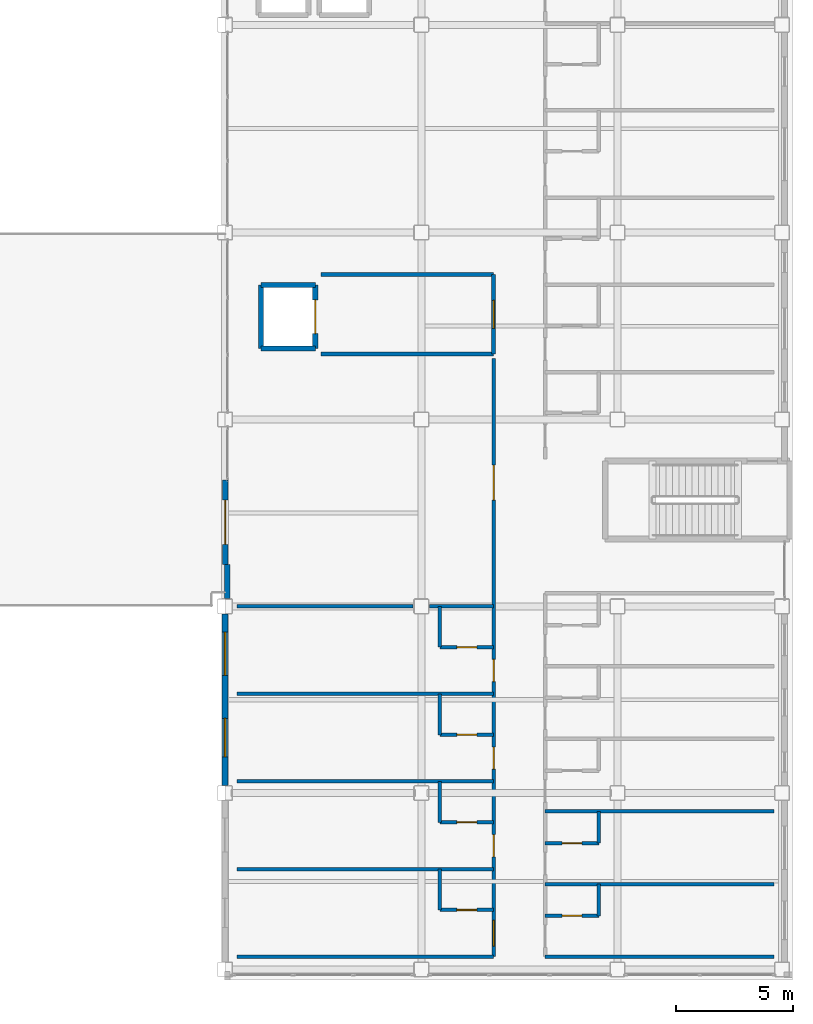
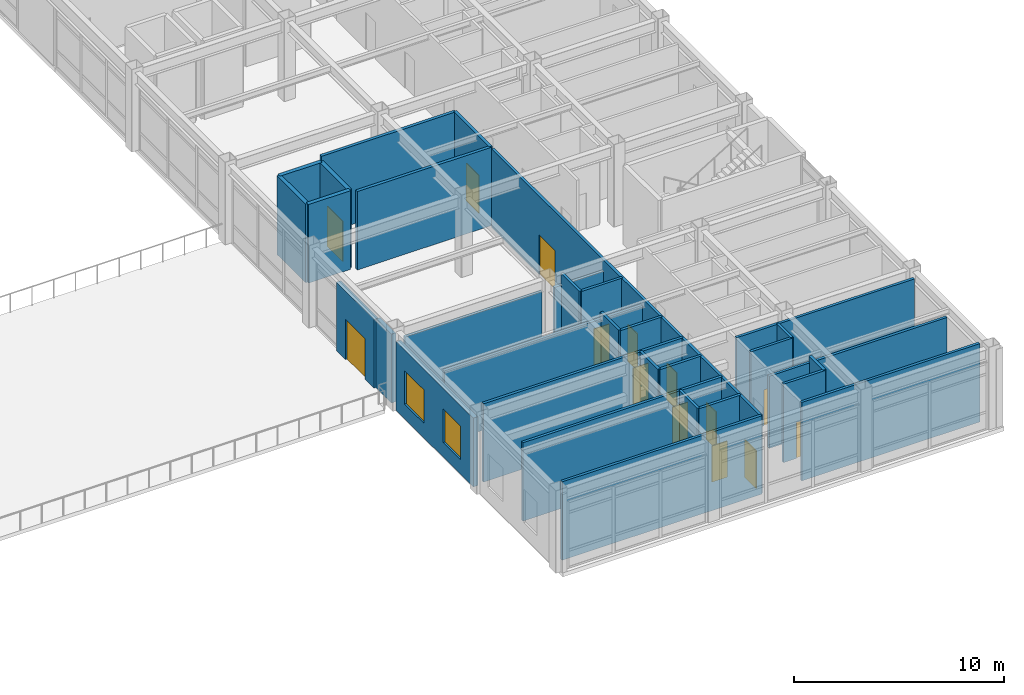
# One storey, part 49 of 61: 32 walls, 14 doors, 2 windows, 16 openings.
"""IFC4 building model written with IfcOpenShell, lengths in metres."""

from ifc_helpers import new_model, si_unit, direction, frame, frame_2d, origin, place, context, subcontext, project, spatial, rectangle, extrude, material, layer, layer_set, type_object, element, fill, save


model = new_model("IFC4")

# Units and contexts
model_context = context("Model", 3, precision=1e-05, world=origin(), true_north=direction((0.0, 1.0)))
body_context = subcontext(model_context, "Body", "Model", "MODEL_VIEW")
ifc_project = project(units=[si_unit("LENGTHUNIT", "METRE"), si_unit("AREAUNIT", "SQUARE_METRE"), si_unit("VOLUMEUNIT", "CUBIC_METRE"), si_unit("PLANEANGLEUNIT", "RADIAN"), si_unit("MASSUNIT", "GRAM", prefix="KILO")], contexts=[model_context])

# Site, building, storey
site_placement = place(None, origin())
site = spatial("IfcSite", under=ifc_project, at=site_placement, CompositionType="ELEMENT")
building_placement = place(site_placement, origin())
building = spatial("IfcBuilding", under=site, at=building_placement, Name="Kazehara Bluff Congress Hotel", CompositionType="ELEMENT")
storey_placement = place(building_placement, frame((0.0, 0.0, 19.800048828125)))
storey = spatial("IfcBuildingStorey", under=building, at=storey_placement, Name="L04", CompositionType="ELEMENT", Elevation=19.800048828125)

# Wall, opening, door
ifc_material_1 = material(Name="Precast concrete C40/50", Category="concrete")
ifc_layer_1 = layer(ifc_material_1, 0.239990234375)
ifc_layer_set_1 = layer_set([ifc_layer_1], Name="Precast concrete C40/50")
wall_type_1 = type_object("IfcWallType", Name="TP-EW-240", PredefinedType="SOLIDWALL", material=ifc_layer_set_1)
wall_1_placement = place(storey_placement, frame((143.699951171875, 17.800048828125, 0.0), z_axis=(0.0, 0.0, 1.0), x_axis=(0.0, 1.0, 0.0)))
wall_1 = element("IfcWall", 1, at=wall_1_placement, inside=storey, type_object=wall_type_1, Name="Club Lounge Courtyard Roof Terrace access wall", PredefinedType="SOLIDWALL", context=body_context, shape_type="SweptSolid", body=[
    extrude(rectangle(XDim=3.599853515625, YDim=0.239990234375, at=frame_2d((1.7998046875, 0.0))), origin(), (0.0, 0.0, 1.0), 4.0048828125),
])
opening_1_placement = place(wall_1_placement, frame((0.85009765625, 0.0, 0.0)))
opening_1 = element("IfcOpeningElement", 2, at=opening_1_placement, cuts=wall_1, Name="Opening TD-02", PredefinedType="OPENING", context=body_context, shape_type="SweptSolid", body=[
    extrude(rectangle(XDim=1.89990234375, YDim=2.35009765625, at=frame_2d((0.949951171875, 1.175048828125))), frame((0.0, 0.1298828125, 0.0), z_axis=(0.0, -1.0, 0.0), x_axis=(1.0, 0.0, 0.0)), (0.0, 0.0, 1.0), 0.260009765625),
])
ifc_material_2 = material(Name="Anodised aluminium", Category="aluminium")
door_type_1 = type_object("IfcDoorType", Name="TP-TD-02", OperationType="SLIDING_TO_LEFT", PredefinedType="DOOR", material=ifc_material_2)
door_1_placement = place(opening_1_placement, origin())
door_1 = element("IfcDoor", 3, at=door_1_placement, inside=storey, type_object=door_type_1, Name="Club Lounge Courtyard Roof Terrace terrace door", OperationType="SLIDING_TO_LEFT", OverallHeight=2.35009765625, OverallWidth=1.89990234375, PredefinedType="DOOR", context=body_context, shape_type="SweptSolid", body=[
    extrude(rectangle(XDim=1.89990234375, YDim=2.35009765625, at=frame_2d((0.949951171875, 1.175048828125))), frame((0.0, 0.02490234375, 0.0), z_axis=(0.0, -1.0, 0.0), x_axis=(1.0, 0.0, 0.0)), (0.0, 0.0, 1.0), 0.050048828125),
])
fill(opening_1, door_1)

# Wall
wall_2_placement = place(storey_placement, frame((143.800048828125, 16.324951171875, 0.0), z_axis=(0.0, 0.0, 1.0), x_axis=(0.0, 1.0, 0.0)))
element("IfcWall", 4, at=wall_2_placement, inside=storey, type_object=wall_type_1, Name="L04 V5 perimeter spandrel pier 729", PredefinedType="SOLIDWALL", context=body_context, shape_type="SweptSolid", body=[
    extrude(rectangle(XDim=1.47509765625, YDim=0.239990234375, at=frame_2d((0.737548828125, 0.0))), origin(), (0.0, 0.0, 1.0), 4.0048828125),
])

# Wall, openings, windows
ifc_material_3 = material(Name="Precast concrete C40/50", Category="concrete")
ifc_layer_2 = layer(ifc_material_3, 0.260009765625)
ifc_layer_set_2 = layer_set([ifc_layer_2], Name="Precast concrete C40/50")
wall_type_2 = type_object("IfcWallType", Name="TP-EW-260", PredefinedType="SOLIDWALL", material=ifc_layer_set_2)
wall_3_placement = place(storey_placement, frame((143.699951171875, 8.324951171875, 0.0), z_axis=(0.0, 0.0, 1.0), x_axis=(0.0, 1.0, 0.0)))
wall_3 = element("IfcWall", 5, at=wall_3_placement, inside=storey, type_object=wall_type_2, Name="L04 hotel facade panel 34", PredefinedType="SOLIDWALL", context=body_context, shape_type="SweptSolid", body=[
    extrude(rectangle(XDim=7.35009765625, YDim=0.260009765625, at=frame_2d((3.675048828125, 0.0))), origin(), (0.0, 0.0, 1.0), 4.0048828125),
])
opening_2_placement = place(wall_3_placement, frame((1.22509765625, 0.0, 0.85009765625)))
opening_2 = element("IfcOpeningElement", 6, at=opening_2_placement, cuts=wall_3, Name="Opening WN-30", PredefinedType="OPENING", context=body_context, shape_type="SweptSolid", body=[
    extrude(rectangle(XDim=1.64990234375, YDim=1.949951171875, at=frame_2d((0.824951171875, 0.97509765625))), frame((0.0, 0.139892578125, 0.0), z_axis=(0.0, -1.0, 0.0), x_axis=(1.0, 0.0, 0.0)), (0.0, 0.0, 1.0), 0.280029296875),
])
opening_3_placement = place(wall_3_placement, frame((4.715087890625, 0.0, 0.85009765625)))
opening_3 = element("IfcOpeningElement", 7, at=opening_3_placement, cuts=wall_3, Name="Opening WN-40", PredefinedType="OPENING", context=body_context, shape_type="SweptSolid", body=[
    extrude(rectangle(XDim=1.85009765625, YDim=1.949951171875, at=frame_2d((0.925048828125, 0.97509765625))), frame((0.0, 0.139892578125, 0.0), z_axis=(0.0, -1.0, 0.0), x_axis=(1.0, 0.0, 0.0)), (0.0, 0.0, 1.0), 0.280029296875),
])
ifc_material_4 = material(Name="Insulated low-E double glazing", Category="glass")
window_type_1 = type_object("IfcWindowType", Name="TP-WN-30", PartitioningType="SINGLE_PANEL", PredefinedType="WINDOW", material=ifc_material_4)
window_1_placement = place(opening_2_placement, origin())
window_1 = element("IfcWindow", 8, at=window_1_placement, inside=storey, type_object=window_type_1, Name="L04 guestroom window WN-30 51", OverallHeight=1.949951171875, OverallWidth=1.64990234375, PartitioningType="SINGLE_PANEL", PredefinedType="WINDOW", context=body_context, shape_type="SweptSolid", body=[
    extrude(rectangle(XDim=1.64990234375, YDim=1.949951171875, at=frame_2d((0.824951171875, 0.97509765625))), frame((0.0, 0.030029296875, 0.0), z_axis=(0.0, -1.0, 0.0), x_axis=(1.0, 0.0, 0.0)), (0.0, 0.0, 1.0), 0.06005859375),
])
fill(opening_2, window_1)
ifc_material_5 = material(Name="Insulated low-E double glazing", Category="glass")
window_type_2 = type_object("IfcWindowType", Name="TP-WN-40", PartitioningType="DOUBLE_PANEL_VERTICAL", PredefinedType="WINDOW", material=ifc_material_5)
window_2_placement = place(opening_3_placement, origin())
window_2 = element("IfcWindow", 9, at=window_2_placement, inside=storey, type_object=window_type_2, Name="L04 guestroom window WN-40 52", OverallHeight=1.949951171875, OverallWidth=1.85009765625, PartitioningType="SINGLE_PANEL", PredefinedType="WINDOW", context=body_context, shape_type="SweptSolid", body=[
    extrude(rectangle(XDim=1.85009765625, YDim=1.949951171875, at=frame_2d((0.925048828125, 0.97509765625))), frame((0.0, 0.030029296875, 0.0), z_axis=(0.0, -1.0, 0.0), x_axis=(1.0, 0.0, 0.0)), (0.0, 0.0, 1.0), 0.06005859375),
])
fill(opening_3, window_2)

# Walls
ifc_material_6 = material(Name="Fire-rated gypsum board stud partition")
ifc_layer_3 = layer(ifc_material_6, 0.14990234375)
ifc_layer_set_3 = layer_set([ifc_layer_3], Name="Fire-rated gypsum board stud partition")
wall_type_3 = type_object("IfcWallType", Name="TP-PT-150", PredefinedType="PARTITIONING", material=ifc_layer_set_3)
wall_4_placement = place(storey_placement, frame((144.199951171875, 1.0, 0.0), z_axis=(0.0, 0.0, 1.0), x_axis=(1.0, 0.0, 0.0)))
element("IfcWall", 10, at=wall_4_placement, inside=storey, type_object=wall_type_3, Name="L04 partition PT-150 368", PredefinedType="PARTITIONING", context=body_context, shape_type="SweptSolid", body=[
    extrude(rectangle(XDim=11.0, YDim=0.14990234375, at=frame_2d((5.5, 0.0))), origin(), (0.0, 0.0, 1.0), 4.56494140625),
])
wall_5_placement = place(storey_placement, frame((157.39990234375, 1.0, 0.0), z_axis=(0.0, 0.0, 1.0), x_axis=(1.0, 0.0, 0.0)))
element("IfcWall", 11, at=wall_5_placement, inside=storey, type_object=wall_type_3, Name="L04 partition PT-150 369", PredefinedType="PARTITIONING", context=body_context, shape_type="SweptSolid", body=[
    extrude(rectangle(XDim=9.800048828125, YDim=0.14990234375, at=frame_2d((4.89990234375, 0.0))), origin(), (0.0, 0.0, 1.0), 4.56494140625),
])

# Wall, opening, door
wall_6_placement = place(storey_placement, frame((157.39990234375, 2.75, 0.0), z_axis=(0.0, 0.0, 1.0), x_axis=(1.0, 0.0, 0.0)))
wall_6 = element("IfcWall", 12, at=wall_6_placement, inside=storey, type_object=wall_type_3, Name="L04 partition PT-150 370", PredefinedType="PARTITIONING", context=body_context, shape_type="SweptSolid", body=[
    extrude(rectangle(XDim=2.300048828125, YDim=0.14990234375, at=frame_2d((1.14990234375, 0.0))), origin(), (0.0, 0.0, 1.0), 4.56494140625),
])
opening_4_placement = place(wall_6_placement, frame((0.72509765625, 0.0, 0.0)))
opening_4 = element("IfcOpeningElement", 13, at=opening_4_placement, cuts=wall_6, Name="Opening BD-01", PredefinedType="OPENING", context=body_context, shape_type="SweptSolid", body=[
    extrude(rectangle(XDim=0.85009765625, YDim=2.10009765625, at=frame_2d((0.425048828125, 1.050048828125))), frame((0.0, 0.0849609375, 0.0), z_axis=(0.0, -1.0, 0.0), x_axis=(1.0, 0.0, 0.0)), (0.0, 0.0, 1.0), 0.169921875),
])
ifc_material_7 = material(Name="Architectural oak veneer leaf")
door_type_2 = type_object("IfcDoorType", Name="TP-BD-01", OperationType="NOTDEFINED", PredefinedType="DOOR", material=ifc_material_7)
door_2_placement = place(opening_4_placement, origin())
door_2 = element("IfcDoor", 14, at=door_2_placement, inside=storey, type_object=door_type_2, Name="L04 En-suite Bathroom 49 door", OperationType="SINGLE_SWING_LEFT", OverallHeight=2.10009765625, OverallWidth=0.85009765625, PredefinedType="DOOR", context=body_context, shape_type="SweptSolid", body=[
    extrude(rectangle(XDim=0.85009765625, YDim=2.10009765625, at=frame_2d((0.425048828125, 1.050048828125))), frame((0.0, 0.02490234375, 0.0), z_axis=(0.0, -1.0, 0.0), x_axis=(1.0, 0.0, 0.0)), (0.0, 0.0, 1.0), 0.050048828125),
])
fill(opening_4, door_2)

wall_7_placement = place(storey_placement, frame((152.89990234375, 3.0, 0.0), z_axis=(0.0, 0.0, 1.0), x_axis=(1.0, 0.0, 0.0)))
wall_7 = element("IfcWall", 15, at=wall_7_placement, inside=storey, type_object=wall_type_3, Name="L04 partition PT-150 371", PredefinedType="PARTITIONING", context=body_context, shape_type="SweptSolid", body=[
    extrude(rectangle(XDim=2.300048828125, YDim=0.14990234375, at=frame_2d((1.14990234375, 0.0))), origin(), (0.0, 0.0, 1.0), 4.56494140625),
])
opening_5_placement = place(wall_7_placement, frame((0.72509765625, 0.0, 0.0)))
opening_5 = element("IfcOpeningElement", 16, at=opening_5_placement, cuts=wall_7, Name="Opening BD-01", PredefinedType="OPENING", context=body_context, shape_type="SweptSolid", body=[
    extrude(rectangle(XDim=0.85009765625, YDim=2.10009765625, at=frame_2d((0.425048828125, 1.050048828125))), frame((0.0, 0.0849609375, 0.0), z_axis=(0.0, -1.0, 0.0), x_axis=(1.0, 0.0, 0.0)), (0.0, 0.0, 1.0), 0.169921875),
])
door_3_placement = place(opening_5_placement, origin())
door_3 = element("IfcDoor", 17, at=door_3_placement, inside=storey, type_object=door_type_2, Name="L04 En-suite Bathroom 31 door", OperationType="SINGLE_SWING_LEFT", OverallHeight=2.10009765625, OverallWidth=0.85009765625, PredefinedType="DOOR", context=body_context, shape_type="SweptSolid", body=[
    extrude(rectangle(XDim=0.85009765625, YDim=2.10009765625, at=frame_2d((0.425048828125, 1.050048828125))), frame((0.0, 0.02490234375, 0.0), z_axis=(0.0, -1.0, 0.0), x_axis=(1.0, 0.0, 0.0)), (0.0, 0.0, 1.0), 0.050048828125),
])
fill(opening_5, door_3)

# Walls
wall_8_placement = place(storey_placement, frame((157.39990234375, 4.110107421875, 0.0), z_axis=(0.0, 0.0, 1.0), x_axis=(1.0, 0.0, 0.0)))
element("IfcWall", 18, at=wall_8_placement, inside=storey, type_object=wall_type_3, Name="L04 partition PT-150 372", PredefinedType="PARTITIONING", context=body_context, shape_type="SweptSolid", body=[
    extrude(rectangle(XDim=9.800048828125, YDim=0.14990234375, at=frame_2d((4.89990234375, 0.0))), origin(), (0.0, 0.0, 1.0), 4.204833984375),
])
wall_9_placement = place(storey_placement, frame((144.199951171875, 4.75, 0.0), z_axis=(0.0, 0.0, 1.0), x_axis=(1.0, 0.0, 0.0)))
element("IfcWall", 19, at=wall_9_placement, inside=storey, type_object=wall_type_3, Name="L04 partition PT-150 373", PredefinedType="PARTITIONING", context=body_context, shape_type="SweptSolid", body=[
    extrude(rectangle(XDim=11.0, YDim=0.14990234375, at=frame_2d((5.5, 0.0))), origin(), (0.0, 0.0, 1.0), 4.56494140625),
])

# Wall, opening, door
wall_10_placement = place(storey_placement, frame((157.39990234375, 5.860107421875, 0.0), z_axis=(0.0, 0.0, 1.0), x_axis=(1.0, 0.0, 0.0)))
wall_10 = element("IfcWall", 20, at=wall_10_placement, inside=storey, type_object=wall_type_3, Name="L04 partition PT-150 374", PredefinedType="PARTITIONING", context=body_context, shape_type="SweptSolid", body=[
    extrude(rectangle(XDim=2.300048828125, YDim=0.14990234375, at=frame_2d((1.14990234375, 0.0))), origin(), (0.0, 0.0, 1.0), 4.56494140625),
])
opening_6_placement = place(wall_10_placement, frame((0.72509765625, 0.0, 0.0)))
opening_6 = element("IfcOpeningElement", 21, at=opening_6_placement, cuts=wall_10, Name="Opening BD-01", PredefinedType="OPENING", context=body_context, shape_type="SweptSolid", body=[
    extrude(rectangle(XDim=0.85009765625, YDim=2.10009765625, at=frame_2d((0.425048828125, 1.050048828125))), frame((0.0, 0.0849609375, 0.0), z_axis=(0.0, -1.0, 0.0), x_axis=(1.0, 0.0, 0.0)), (0.0, 0.0, 1.0), 0.169921875),
])
door_4_placement = place(opening_6_placement, origin())
door_4 = element("IfcDoor", 22, at=door_4_placement, inside=storey, type_object=door_type_2, Name="L04 En-suite Bathroom 50 door", OperationType="SINGLE_SWING_LEFT", OverallHeight=2.10009765625, OverallWidth=0.85009765625, PredefinedType="DOOR", context=body_context, shape_type="SweptSolid", body=[
    extrude(rectangle(XDim=0.85009765625, YDim=2.10009765625, at=frame_2d((0.425048828125, 1.050048828125))), frame((0.0, 0.02490234375, 0.0), z_axis=(0.0, -1.0, 0.0), x_axis=(1.0, 0.0, 0.0)), (0.0, 0.0, 1.0), 0.050048828125),
])
fill(opening_6, door_4)

wall_11_placement = place(storey_placement, frame((152.89990234375, 6.75, 0.0), z_axis=(0.0, 0.0, 1.0), x_axis=(1.0, 0.0, 0.0)))
wall_11 = element("IfcWall", 23, at=wall_11_placement, inside=storey, type_object=wall_type_3, Name="L04 partition PT-150 375", PredefinedType="PARTITIONING", context=body_context, shape_type="SweptSolid", body=[
    extrude(rectangle(XDim=2.300048828125, YDim=0.14990234375, at=frame_2d((1.14990234375, 0.0))), origin(), (0.0, 0.0, 1.0), 4.56494140625),
])
opening_7_placement = place(wall_11_placement, frame((0.72509765625, 0.0, 0.0)))
opening_7 = element("IfcOpeningElement", 24, at=opening_7_placement, cuts=wall_11, Name="Opening BD-01", PredefinedType="OPENING", context=body_context, shape_type="SweptSolid", body=[
    extrude(rectangle(XDim=0.85009765625, YDim=2.10009765625, at=frame_2d((0.425048828125, 1.050048828125))), frame((0.0, 0.0849609375, 0.0), z_axis=(0.0, -1.0, 0.0), x_axis=(1.0, 0.0, 0.0)), (0.0, 0.0, 1.0), 0.169921875),
])
door_5_placement = place(opening_7_placement, origin())
door_5 = element("IfcDoor", 25, at=door_5_placement, inside=storey, type_object=door_type_2, Name="L04 En-suite Bathroom 32 door", OperationType="SINGLE_SWING_LEFT", OverallHeight=2.10009765625, OverallWidth=0.85009765625, PredefinedType="DOOR", context=body_context, shape_type="SweptSolid", body=[
    extrude(rectangle(XDim=0.85009765625, YDim=2.10009765625, at=frame_2d((0.425048828125, 1.050048828125))), frame((0.0, 0.02490234375, 0.0), z_axis=(0.0, -1.0, 0.0), x_axis=(1.0, 0.0, 0.0)), (0.0, 0.0, 1.0), 0.050048828125),
])
fill(opening_7, door_5)

# Walls
wall_12_placement = place(storey_placement, frame((157.39990234375, 7.219970703125, 0.0), z_axis=(0.0, 0.0, 1.0), x_axis=(1.0, 0.0, 0.0)))
element("IfcWall", 26, at=wall_12_placement, inside=storey, type_object=wall_type_3, Name="L04 partition PT-150 376", PredefinedType="PARTITIONING", context=body_context, shape_type="SweptSolid", body=[
    extrude(rectangle(XDim=9.800048828125, YDim=0.14990234375, at=frame_2d((4.89990234375, 0.0))), origin(), (0.0, 0.0, 1.0), 4.56494140625),
])
wall_13_placement = place(storey_placement, frame((144.199951171875, 8.5, 0.0), z_axis=(0.0, 0.0, 1.0), x_axis=(1.0, 0.0, 0.0)))
element("IfcWall", 27, at=wall_13_placement, inside=storey, type_object=wall_type_3, Name="L04 partition PT-150 377", PredefinedType="PARTITIONING", context=body_context, shape_type="SweptSolid", body=[
    extrude(rectangle(XDim=11.0, YDim=0.14990234375, at=frame_2d((5.5, 0.0))), origin(), (0.0, 0.0, 1.0), 4.56494140625),
])

# Wall, opening, door
wall_14_placement = place(storey_placement, frame((152.89990234375, 10.5, 0.0), z_axis=(0.0, 0.0, 1.0), x_axis=(1.0, 0.0, 0.0)))
wall_14 = element("IfcWall", 28, at=wall_14_placement, inside=storey, type_object=wall_type_3, Name="L04 partition PT-150 380", PredefinedType="PARTITIONING", context=body_context, shape_type="SweptSolid", body=[
    extrude(rectangle(XDim=2.300048828125, YDim=0.14990234375, at=frame_2d((1.14990234375, 0.0))), origin(), (0.0, 0.0, 1.0), 4.56494140625),
])
opening_8_placement = place(wall_14_placement, frame((0.72509765625, 0.0, 0.0)))
opening_8 = element("IfcOpeningElement", 29, at=opening_8_placement, cuts=wall_14, Name="Opening BD-01", PredefinedType="OPENING", context=body_context, shape_type="SweptSolid", body=[
    extrude(rectangle(XDim=0.85009765625, YDim=2.10009765625, at=frame_2d((0.425048828125, 1.050048828125))), frame((0.0, 0.0849609375, 0.0), z_axis=(0.0, -1.0, 0.0), x_axis=(1.0, 0.0, 0.0)), (0.0, 0.0, 1.0), 0.169921875),
])
door_6_placement = place(opening_8_placement, origin())
door_6 = element("IfcDoor", 30, at=door_6_placement, inside=storey, type_object=door_type_2, Name="L04 En-suite Bathroom 33 door", OperationType="SINGLE_SWING_LEFT", OverallHeight=2.10009765625, OverallWidth=0.85009765625, PredefinedType="DOOR", context=body_context, shape_type="SweptSolid", body=[
    extrude(rectangle(XDim=0.85009765625, YDim=2.10009765625, at=frame_2d((0.425048828125, 1.050048828125))), frame((0.0, 0.02490234375, 0.0), z_axis=(0.0, -1.0, 0.0), x_axis=(1.0, 0.0, 0.0)), (0.0, 0.0, 1.0), 0.050048828125),
])
fill(opening_8, door_6)

# Wall
wall_15_placement = place(storey_placement, frame((144.199951171875, 12.25, 0.0), z_axis=(0.0, 0.0, 1.0), x_axis=(1.0, 0.0, 0.0)))
element("IfcWall", 31, at=wall_15_placement, inside=storey, type_object=wall_type_3, Name="L04 partition PT-150 382", PredefinedType="PARTITIONING", context=body_context, shape_type="SweptSolid", body=[
    extrude(rectangle(XDim=11.0, YDim=0.14990234375, at=frame_2d((5.5, 0.0))), origin(), (0.0, 0.0, 1.0), 4.204833984375),
])

# Wall, opening, door
wall_16_placement = place(storey_placement, frame((152.89990234375, 14.25, 0.0), z_axis=(0.0, 0.0, 1.0), x_axis=(1.0, 0.0, 0.0)))
wall_16 = element("IfcWall", 32, at=wall_16_placement, inside=storey, type_object=wall_type_3, Name="L04 partition PT-150 384", PredefinedType="PARTITIONING", context=body_context, shape_type="SweptSolid", body=[
    extrude(rectangle(XDim=2.300048828125, YDim=0.14990234375, at=frame_2d((1.14990234375, 0.0))), origin(), (0.0, 0.0, 1.0), 4.56494140625),
])
opening_9_placement = place(wall_16_placement, frame((0.72509765625, 0.0, 0.0)))
opening_9 = element("IfcOpeningElement", 33, at=opening_9_placement, cuts=wall_16, Name="Opening BD-01", PredefinedType="OPENING", context=body_context, shape_type="SweptSolid", body=[
    extrude(rectangle(XDim=0.85009765625, YDim=2.10009765625, at=frame_2d((0.425048828125, 1.050048828125))), frame((0.0, 0.0849609375, 0.0), z_axis=(0.0, -1.0, 0.0), x_axis=(1.0, 0.0, 0.0)), (0.0, 0.0, 1.0), 0.169921875),
])
door_7_placement = place(opening_9_placement, origin())
door_7 = element("IfcDoor", 34, at=door_7_placement, inside=storey, type_object=door_type_2, Name="L04 En-suite Bathroom 34 door", OperationType="SINGLE_SWING_LEFT", OverallHeight=2.10009765625, OverallWidth=0.85009765625, PredefinedType="DOOR", context=body_context, shape_type="SweptSolid", body=[
    extrude(rectangle(XDim=0.85009765625, YDim=2.10009765625, at=frame_2d((0.425048828125, 1.050048828125))), frame((0.0, 0.02490234375, 0.0), z_axis=(0.0, -1.0, 0.0), x_axis=(1.0, 0.0, 0.0)), (0.0, 0.0, 1.0), 0.050048828125),
])
fill(opening_9, door_7)

# Walls
wall_17_placement = place(storey_placement, frame((144.199951171875, 16.0, 0.0), z_axis=(0.0, 0.0, 1.0), x_axis=(1.0, 0.0, 0.0)))
element("IfcWall", 35, at=wall_17_placement, inside=storey, type_object=wall_type_3, Name="L04 partition PT-150 386", PredefinedType="PARTITIONING", context=body_context, shape_type="SweptSolid", body=[
    extrude(rectangle(XDim=7.554931640625, YDim=0.14990234375, at=frame_2d((3.77734375, 0.0))), origin(), (0.0, 0.0, 1.0), 3.905029296875),
])
wall_18_placement = place(storey_placement, frame((152.445068359375, 16.0, 0.0), z_axis=(0.0, 0.0, 1.0), x_axis=(1.0, 0.0, 0.0)))
element("IfcWall", 36, at=wall_18_placement, inside=storey, type_object=wall_type_3, Name="L04 partition PT-150 387", PredefinedType="PARTITIONING", context=body_context, shape_type="SweptSolid", body=[
    extrude(rectangle(XDim=2.7548828125, YDim=0.14990234375, at=frame_2d((1.37744140625, 0.0))), origin(), (0.0, 0.0, 1.0), 3.905029296875),
])
for number, where, z_axis, x_axis, name in (
    (37, (152.89990234375, 3.0, 0.0), (0.0, 0.0, 1.0), (0.0, 1.0, 0.0), "L04 partition PT-150 461"),
    (38, (152.89990234375, 6.75, 0.0), (0.0, 0.0, 1.0), (0.0, 1.0, 0.0), "L04 partition PT-150 462"),
    (39, (152.89990234375, 10.5, 0.0), (0.0, 0.0, 1.0), (0.0, 1.0, 0.0), "L04 partition PT-150 463"),
    (40, (152.89990234375, 14.25, 0.0), (0.0, 0.0, 1.0), (0.0, 1.0, 0.0), "L04 partition PT-150 464"),
):
    element("IfcWall", number, at=place(storey_placement, frame(where, z_axis=z_axis, x_axis=x_axis)), inside=storey, type_object=wall_type_3, Name=name, PredefinedType="PARTITIONING", context=body_context, shape_type="SweptSolid", body=[
        extrude(rectangle(XDim=1.75, YDim=0.14990234375, at=frame_2d((0.875, 0.0))), origin(), (0.0, 0.0, 1.0), 4.56494140625),
    ])

# Wall, openings, doors
wall_19_placement = place(storey_placement, frame((155.199951171875, 1.0, 0.0), z_axis=(0.0, 0.0, 1.0), x_axis=(0.0, 1.0, 0.0)))
wall_19 = element("IfcWall", 41, at=wall_19_placement, inside=storey, type_object=wall_type_3, Name="L04 partition PT-150 479", PredefinedType="PARTITIONING", context=body_context, shape_type="SweptSolid", body=[
    extrude(rectangle(XDim=25.60009765625, YDim=0.14990234375, at=frame_2d((12.800048828125, 0.0))), origin(), (0.0, 0.0, 1.0), 4.56494140625),
])
opening_10_placement = place(wall_19_placement, frame((19.550048828125, 0.0, 0.0)))
opening_10 = element("IfcOpeningElement", 42, at=opening_10_placement, cuts=wall_19, Name="Opening AD-01", PredefinedType="OPENING", context=body_context, shape_type="SweptSolid", body=[
    extrude(rectangle(XDim=1.5, YDim=2.300048828125, at=frame_2d((0.75, 1.14990234375))), frame((0.0, 0.0849609375, 0.0), z_axis=(0.0, -1.0, 0.0), x_axis=(1.0, 0.0, 0.0)), (0.0, 0.0, 1.0), 0.169921875),
])
opening_11_placement = place(wall_19_placement, frame((0.449951171875, 0.0, 0.0)))
opening_11 = element("IfcOpeningElement", 43, at=opening_11_placement, cuts=wall_19, Name="Opening GD-02", PredefinedType="OPENING", context=body_context, shape_type="SweptSolid", body=[
    extrude(rectangle(XDim=1.10009765625, YDim=2.199951171875, at=frame_2d((0.550048828125, 1.10009765625))), frame((0.0, 0.0849609375, 0.0), z_axis=(0.0, -1.0, 0.0), x_axis=(1.0, 0.0, 0.0)), (0.0, 0.0, 1.0), 0.169921875),
])
opening_12_placement = place(wall_19_placement, frame((4.27490234375, 0.0, 0.0)))
opening_12 = element("IfcOpeningElement", 44, at=opening_12_placement, cuts=wall_19, Name="Opening GD-01", PredefinedType="OPENING", context=body_context, shape_type="SweptSolid", body=[
    extrude(rectangle(XDim=0.949951171875, YDim=2.14990234375, at=frame_2d((0.47509765625, 1.074951171875))), frame((0.0, 0.0849609375, 0.0), z_axis=(0.0, -1.0, 0.0), x_axis=(1.0, 0.0, 0.0)), (0.0, 0.0, 1.0), 0.169921875),
])
opening_13_placement = place(wall_19_placement, frame((8.02490234375, 0.0, 0.0)))
opening_13 = element("IfcOpeningElement", 45, at=opening_13_placement, cuts=wall_19, Name="Opening GD-01", PredefinedType="OPENING", context=body_context, shape_type="SweptSolid", body=[
    extrude(rectangle(XDim=0.949951171875, YDim=2.14990234375, at=frame_2d((0.47509765625, 1.074951171875))), frame((0.0, 0.0849609375, 0.0), z_axis=(0.0, -1.0, 0.0), x_axis=(1.0, 0.0, 0.0)), (0.0, 0.0, 1.0), 0.169921875),
])
opening_14_placement = place(wall_19_placement, frame((11.77490234375, 0.0, 0.0)))
opening_14 = element("IfcOpeningElement", 46, at=opening_14_placement, cuts=wall_19, Name="Opening GD-01", PredefinedType="OPENING", context=body_context, shape_type="SweptSolid", body=[
    extrude(rectangle(XDim=0.949951171875, YDim=2.14990234375, at=frame_2d((0.47509765625, 1.074951171875))), frame((0.0, 0.0849609375, 0.0), z_axis=(0.0, -1.0, 0.0), x_axis=(1.0, 0.0, 0.0)), (0.0, 0.0, 1.0), 0.169921875),
])
ifc_material_8 = material(Name="Architectural oak veneer leaf")
door_type_3 = type_object("IfcDoorType", Name="TP-AD-01", OperationType="DOUBLE_DOOR_SINGLE_SWING", PredefinedType="DOOR", material=ifc_material_8)
door_8_placement = place(opening_10_placement, origin())
door_8 = element("IfcDoor", 47, at=door_8_placement, inside=storey, type_object=door_type_3, Name="L04 Executive Club Lounge door", OperationType="DOUBLE_DOOR_SINGLE_SWING", OverallHeight=2.300048828125, OverallWidth=1.5, PredefinedType="DOOR", context=body_context, shape_type="SweptSolid", body=[
    extrude(rectangle(XDim=1.5, YDim=2.300048828125, at=frame_2d((0.75, 1.14990234375))), frame((0.0, 0.02490234375, 0.0), z_axis=(0.0, -1.0, 0.0), x_axis=(1.0, 0.0, 0.0)), (0.0, 0.0, 1.0), 0.050048828125),
])
fill(opening_10, door_8)
ifc_material_9 = material(Name="Architectural oak veneer leaf")
door_type_4 = type_object("IfcDoorType", Name="TP-GD-01", OperationType="NOTDEFINED", PredefinedType="DOOR", material=ifc_material_9)
door_9_placement = place(opening_12_placement, origin())
door_9 = element("IfcDoor", 48, at=door_9_placement, inside=storey, type_object=door_type_4, Name="L04 Deluxe Twin Guest Room 32 door", OperationType="SINGLE_SWING_RIGHT", OverallHeight=2.14990234375, OverallWidth=0.949951171875, PredefinedType="DOOR", context=body_context, shape_type="SweptSolid", body=[
    extrude(rectangle(XDim=0.949951171875, YDim=2.14990234375, at=frame_2d((0.47509765625, 1.074951171875))), frame((0.0, 0.02490234375, 0.0), z_axis=(0.0, -1.0, 0.0), x_axis=(1.0, 0.0, 0.0)), (0.0, 0.0, 1.0), 0.050048828125),
])
fill(opening_12, door_9)
door_10_placement = place(opening_13_placement, origin())
door_10 = element("IfcDoor", 49, at=door_10_placement, inside=storey, type_object=door_type_4, Name="L04 Standard King Guest Room 33 door", OperationType="SINGLE_SWING_RIGHT", OverallHeight=2.14990234375, OverallWidth=0.949951171875, PredefinedType="DOOR", context=body_context, shape_type="SweptSolid", body=[
    extrude(rectangle(XDim=0.949951171875, YDim=2.14990234375, at=frame_2d((0.47509765625, 1.074951171875))), frame((0.0, 0.02490234375, 0.0), z_axis=(0.0, -1.0, 0.0), x_axis=(1.0, 0.0, 0.0)), (0.0, 0.0, 1.0), 0.050048828125),
])
fill(opening_13, door_10)
door_11_placement = place(opening_14_placement, origin())
door_11 = element("IfcDoor", 50, at=door_11_placement, inside=storey, type_object=door_type_4, Name="L04 Deluxe Twin Guest Room 34 door", OperationType="SINGLE_SWING_RIGHT", OverallHeight=2.14990234375, OverallWidth=0.949951171875, PredefinedType="DOOR", context=body_context, shape_type="SweptSolid", body=[
    extrude(rectangle(XDim=0.949951171875, YDim=2.14990234375, at=frame_2d((0.47509765625, 1.074951171875))), frame((0.0, 0.02490234375, 0.0), z_axis=(0.0, -1.0, 0.0), x_axis=(1.0, 0.0, 0.0)), (0.0, 0.0, 1.0), 0.050048828125),
])
fill(opening_14, door_11)
ifc_material_10 = material(Name="Architectural oak veneer leaf")
door_type_5 = type_object("IfcDoorType", Name="TP-GD-02", OperationType="NOTDEFINED", PredefinedType="DOOR", material=ifc_material_10)
door_12_placement = place(opening_11_placement, origin())
door_12 = element("IfcDoor", 51, at=door_12_placement, inside=storey, type_object=door_type_5, Name="L04 Accessible Suite 31 door", OperationType="SINGLE_SWING_RIGHT", OverallHeight=2.199951171875, OverallWidth=1.10009765625, PredefinedType="DOOR", context=body_context, shape_type="SweptSolid", body=[
    extrude(rectangle(XDim=1.10009765625, YDim=2.199951171875, at=frame_2d((0.550048828125, 1.10009765625))), frame((0.0, 0.02490234375, 0.0), z_axis=(0.0, -1.0, 0.0), x_axis=(1.0, 0.0, 0.0)), (0.0, 0.0, 1.0), 0.050048828125),
])
fill(opening_11, door_12)

# Walls
wall_20_placement = place(storey_placement, frame((159.699951171875, 2.75, 0.0), z_axis=(0.0, 0.0, 1.0), x_axis=(0.0, 1.0, 0.0)))
element("IfcWall", 52, at=wall_20_placement, inside=storey, type_object=wall_type_3, Name="L04 partition PT-150 487", PredefinedType="PARTITIONING", context=body_context, shape_type="SweptSolid", body=[
    extrude(rectangle(XDim=1.360107421875, YDim=0.14990234375, at=frame_2d((0.68017578125, 0.0))), origin(), (0.0, 0.0, 1.0), 4.56494140625),
])
wall_21_placement = place(storey_placement, frame((159.699951171875, 5.860107421875, 0.0), z_axis=(0.0, 0.0, 1.0), x_axis=(0.0, 1.0, 0.0)))
element("IfcWall", 53, at=wall_21_placement, inside=storey, type_object=wall_type_3, Name="L04 partition PT-150 488", PredefinedType="PARTITIONING", context=body_context, shape_type="SweptSolid", body=[
    extrude(rectangle(XDim=1.35986328125, YDim=0.14990234375, at=frame_2d((0.679931640625, 0.0))), origin(), (0.0, 0.0, 1.0), 4.56494140625),
])
ifc_material_11 = material(Name="Fire-rated gypsum board stud partition")
ifc_layer_4 = layer(ifc_material_11, 0.169921875)
ifc_layer_set_4 = layer_set([ifc_layer_4], Name="Fire-rated gypsum board stud partition")
wall_type_4 = type_object("IfcWallType", Name="TP-PT-180", PredefinedType="PARTITIONING", material=ifc_layer_set_4)
for number, where, z_axis, x_axis, name in (
    (54, (147.800048828125, 26.800048828125, 0.0), (0.0, 0.0, 1.0), (1.0, 0.0, 0.0), "L04 partition PT-180 392"),
    (55, (147.800048828125, 30.199951171875, 0.0), (0.0, 0.0, 1.0), (1.0, 0.0, 0.0), "L04 partition PT-180 395"),
):
    element("IfcWall", number, at=place(storey_placement, frame(where, z_axis=z_axis, x_axis=x_axis)), inside=storey, type_object=wall_type_4, Name=name, PredefinedType="PARTITIONING", context=body_context, shape_type="SweptSolid", body=[
        extrude(rectangle(XDim=7.39990234375, YDim=0.169921875, at=frame_2d((3.699951171875, 0.0))), origin(), (0.0, 0.0, 1.0), 4.56494140625),
    ])

# Wall, opening, door
wall_22_placement = place(storey_placement, frame((155.199951171875, 26.800048828125, 0.0), z_axis=(0.0, 0.0, 1.0), x_axis=(0.0, 1.0, 0.0)))
wall_22 = element("IfcWall", 56, at=wall_22_placement, inside=storey, type_object=wall_type_4, Name="L04 partition PT-180 480", PredefinedType="PARTITIONING", context=body_context, shape_type="SweptSolid", body=[
    extrude(rectangle(XDim=3.39990234375, YDim=0.169921875, at=frame_2d((1.699951171875, 0.0))), origin(), (0.0, 0.0, 1.0), 4.56494140625),
])
opening_15_placement = place(wall_22_placement, frame((1.10009765625, 0.0, 0.0)))
opening_15 = element("IfcOpeningElement", 57, at=opening_15_placement, cuts=wall_22, Name="Opening FD-02", PredefinedType="OPENING", context=body_context, shape_type="SweptSolid", body=[
    extrude(rectangle(XDim=1.199951171875, YDim=2.199951171875, at=frame_2d((0.60009765625, 1.10009765625))), frame((0.0, 0.094970703125, 0.0), z_axis=(0.0, -1.0, 0.0), x_axis=(1.0, 0.0, 0.0)), (0.0, 0.0, 1.0), 0.18994140625),
])
ifc_material_12 = material(Name="Fire-rated painted steel leaf", Category="steel")
door_type_6 = type_object("IfcDoorType", Name="TP-FD-02", OperationType="NOTDEFINED", PredefinedType="DOOR", material=ifc_material_12)
door_13_placement = place(opening_15_placement, origin())
door_13 = element("IfcDoor", 58, at=door_13_placement, inside=storey, type_object=door_type_6, Name="L04 L04 Service Lift Lobby door", OperationType="SINGLE_SWING_RIGHT", OverallHeight=2.199951171875, OverallWidth=1.199951171875, PredefinedType="DOOR", context=body_context, shape_type="SweptSolid", body=[
    extrude(rectangle(XDim=1.199951171875, YDim=2.199951171875, at=frame_2d((0.60009765625, 1.10009765625))), frame((0.0, 0.02490234375, 0.0), z_axis=(0.0, -1.0, 0.0), x_axis=(1.0, 0.0, 0.0)), (0.0, 0.0, 1.0), 0.050048828125),
])
fill(opening_15, door_13)

# Walls
ifc_material_13 = material(Name="Concrete C40/50", Category="concrete")
ifc_layer_5 = layer(ifc_material_13, 0.219970703125)
ifc_layer_set_5 = layer_set([ifc_layer_5], Name="Concrete C40/50")
wall_type_5 = type_object("IfcWallType", Name="TP-SW-RC", PredefinedType="SHEAR", material=ifc_layer_set_5)
for number, where, z_axis, x_axis, name in (
    (59, (145.239990234375, 29.760009765625, 0.0), (0.0, 0.0, 1.0), (1.0, 0.0, 0.0), "L04 EL-S3 lift shaft wall +Y"),
    (60, (145.239990234375, 27.0400390625, 0.0), (0.0, 0.0, 1.0), (1.0, 0.0, 0.0), "L04 EL-S3 lift shaft wall -Y"),
):
    element("IfcWall", number, at=place(storey_placement, frame(where, z_axis=z_axis, x_axis=x_axis)), inside=storey, type_object=wall_type_5, Name=name, PredefinedType="SHEAR", context=body_context, shape_type="SweptSolid", body=[
        extrude(rectangle(XDim=2.320068359375, YDim=0.219970703125, at=frame_2d((1.16015625, 0.0))), origin(), (0.0, 0.0, 1.0), 4.579833984375),
    ])

# Wall, opening, door
wall_23_placement = place(storey_placement, frame((147.56005859375, 27.0400390625, 0.0), z_axis=(0.0, 0.0, 1.0), x_axis=(0.0, 1.0, 0.0)))
wall_23 = element("IfcWall", 61, at=wall_23_placement, inside=storey, type_object=wall_type_5, Name="L04 EL-S3 lift shaft wall +X", PredefinedType="SHEAR", context=body_context, shape_type="SweptSolid", body=[
    extrude(rectangle(XDim=2.719970703125, YDim=0.219970703125, at=frame_2d((1.35986328125, 0.0))), origin(), (0.0, 0.0, 1.0), 4.579833984375),
])
opening_16_placement = place(wall_23_placement, frame((0.635009765625, 0.0, 0.0)))
opening_16 = element("IfcOpeningElement", 62, at=opening_16_placement, cuts=wall_23, Name="Opening LD-04", PredefinedType="OPENING", context=body_context, shape_type="SweptSolid", body=[
    extrude(rectangle(XDim=1.449951171875, YDim=2.35009765625, at=frame_2d((0.72509765625, 1.175048828125))), frame((0.0, 0.119873046875, 0.0), z_axis=(0.0, -1.0, 0.0), x_axis=(1.0, 0.0, 0.0)), (0.0, 0.0, 1.0), 0.239990234375),
])
ifc_material_14 = material(Name="Fire-rated painted steel leaf", Category="steel")
door_type_7 = type_object("IfcDoorType", Name="TP-LD-04", OperationType="SLIDING_TO_LEFT", PredefinedType="DOOR", material=ifc_material_14)
door_14_placement = place(opening_16_placement, origin())
door_14 = element("IfcDoor", 63, at=door_14_placement, inside=storey, type_object=door_type_7, Name="L04 EL-S3 elevator landing door", OperationType="SLIDING_TO_LEFT", OverallHeight=2.35009765625, OverallWidth=1.449951171875, PredefinedType="DOOR", context=body_context, shape_type="SweptSolid", body=[
    extrude(rectangle(XDim=1.449951171875, YDim=2.35009765625, at=frame_2d((0.72509765625, 1.175048828125))), frame((0.0, 0.02490234375, 0.0), z_axis=(0.0, -1.0, 0.0), x_axis=(1.0, 0.0, 0.0)), (0.0, 0.0, 1.0), 0.050048828125),
])
fill(opening_16, door_14)

# Wall
wall_24_placement = place(storey_placement, frame((145.239990234375, 27.0400390625, 0.0), z_axis=(0.0, 0.0, 1.0), x_axis=(0.0, 1.0, 0.0)))
element("IfcWall", 64, at=wall_24_placement, inside=storey, type_object=wall_type_5, Name="L04 EL-S3 lift shaft wall -X", PredefinedType="SHEAR", context=body_context, shape_type="SweptSolid", body=[
    extrude(rectangle(XDim=2.719970703125, YDim=0.219970703125, at=frame_2d((1.35986328125, 0.0))), origin(), (0.0, 0.0, 1.0), 4.579833984375),
])

save(model, "model.ifc")
